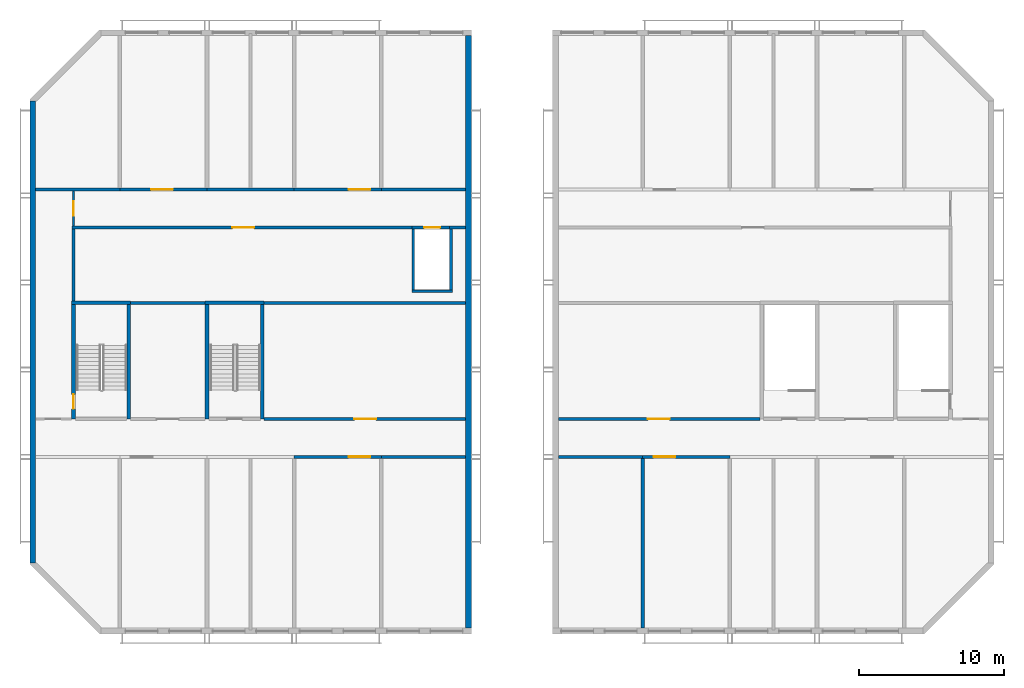
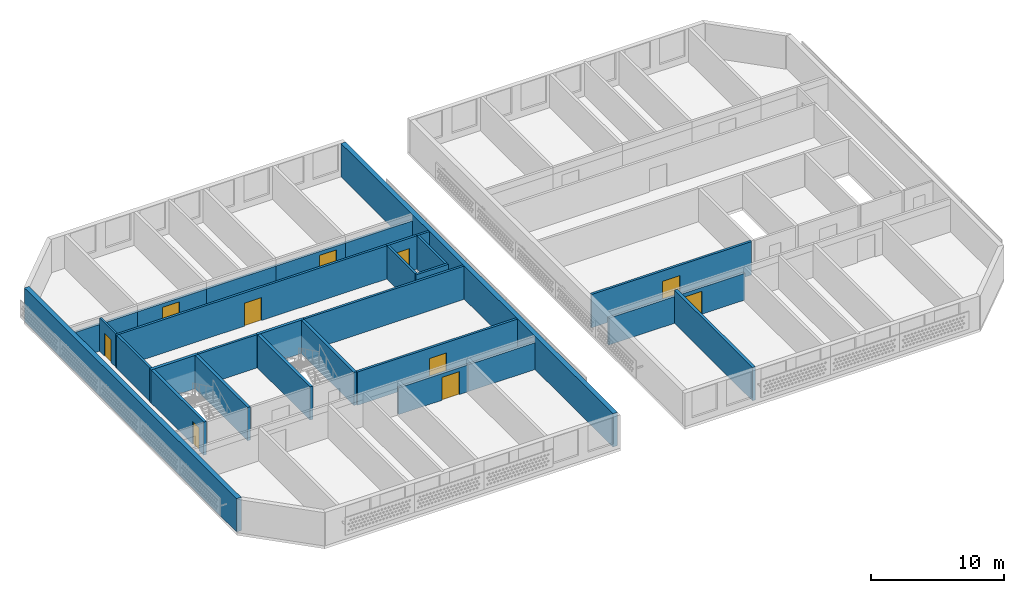
# One storey, part 2 of 16: 30 walls, 10 doors, 10 openings.
"""IFC4 building model written with IfcOpenShell, lengths in metres."""

from ifc_helpers import new_model, si_unit, direction, frame, frame_2d, origin, place, context, subcontext, project, spatial, rectangle, extrude, material, layer, layer_set, type_object, element, fill, save


model = new_model("IFC4")

# Units and contexts
model_context = context("Model", 3, precision=1e-05, world=origin(), true_north=direction((0.0, 1.0)))
body_context = subcontext(model_context, "Body", "Model", "MODEL_VIEW")
ifc_project = project(units=[si_unit("LENGTHUNIT", "METRE"), si_unit("AREAUNIT", "SQUARE_METRE"), si_unit("VOLUMEUNIT", "CUBIC_METRE"), si_unit("PLANEANGLEUNIT", "RADIAN"), si_unit("MASSUNIT", "GRAM", prefix="KILO")], contexts=[model_context])

# Site, building, storey
site_placement = place(None, origin())
site = spatial("IfcSite", under=ifc_project, at=site_placement, CompositionType="ELEMENT")
building_placement = place(site_placement, origin())
building = spatial("IfcBuilding", under=site, at=building_placement, Name="Poui Terraces", CompositionType="ELEMENT")
storey_placement = place(building_placement, frame((0.0, 0.0, 282.300048828125)))
storey = spatial("IfcBuildingStorey", under=building, at=storey_placement, Name="L78 CROWN", CompositionType="ELEMENT", Elevation=282.300048828125)

# Wall, opening, door
ifc_material_1 = material(Name="Fire-rated plasterboard wall")
ifc_layer_1 = layer(ifc_material_1, 0.14990234375)
ifc_layer_set_1 = layer_set([ifc_layer_1], Name="Fire-rated plasterboard wall")
wall_type_1 = type_object("IfcWallType", Name="CORRIDOR WALL 150", PredefinedType="PARTITIONING", material=ifc_layer_set_1)
wall_1_placement = place(storey_placement, frame((20.800048828125, 27.89990234375, 0.0), z_axis=(0.0, 0.0, 1.0), x_axis=(0.0, 1.0, 0.0)))
wall_1 = element("IfcWall", 1, at=wall_1_placement, inside=storey, type_object=wall_type_1, Name="CORRIDOR WALL 150", PredefinedType="PARTITIONING", context=body_context, shape_type="SweptSolid", body=[
    extrude(rectangle(XDim=2.39013671875, YDim=0.14990234375, at=frame_2d((1.195068359375, 0.0))), origin(), (0.0, 0.0, 1.0), 3.050048828125),
])
opening_1_placement = place(wall_1_placement, frame((0.699951171875, 0.0, 0.0)))
opening_1 = element("IfcOpeningElement", 2, at=opening_1_placement, cuts=wall_1, Name="Opening FDL", PredefinedType="OPENING", context=body_context, shape_type="SweptSolid", body=[
    extrude(rectangle(XDim=1.0, YDim=2.10009765625, at=frame_2d((0.5, 1.050048828125))), frame((0.0, 0.0849609375, 0.0), z_axis=(0.0, -1.0, 0.0), x_axis=(1.0, 0.0, 0.0)), (0.0, 0.0, 1.0), 0.169921875),
])
ifc_material_2 = material(Name="Steel fire door", Category="steel")
door_type_1 = type_object("IfcDoorType", Name="LOBBY FIRE DOOR 1000 X 2100", OperationType="NOTDEFINED", PredefinedType="DOOR", material=ifc_material_2)
door_1_placement = place(opening_1_placement, origin())
door_1 = element("IfcDoor", 3, at=door_1_placement, inside=storey, type_object=door_type_1, Name="LOBBY FIRE DOOR 022", OperationType="SINGLE_SWING_LEFT", OverallHeight=2.10009765625, OverallWidth=1.0, PredefinedType="DOOR", context=body_context, shape_type="SweptSolid", body=[
    extrude(rectangle(XDim=1.0, YDim=2.10009765625, at=frame_2d((0.5, 1.050048828125))), frame((0.0, 0.02490234375, 0.0), z_axis=(0.0, -1.0, 0.0), x_axis=(1.0, 0.0, 0.0)), (0.0, 0.0, 1.0), 0.050048828125),
])
fill(opening_1, door_1)

ifc_material_3 = material(Name="Concrete 50 MPa", Category="concrete")
ifc_layer_2 = layer(ifc_material_3, 0.199951171875)
ifc_layer_set_2 = layer_set([ifc_layer_2], Name="Concrete 50 MPa")
wall_type_2 = type_object("IfcWallType", Name="CORRIDOR WALL 200 50MPa", PredefinedType="SHEAR", material=ifc_layer_set_2)
wall_2_placement = place(storey_placement, frame((36.0, 12.0, 0.0), z_axis=(0.0, 0.0, 1.0), x_axis=(1.0, 0.0, 0.0)))
wall_2 = element("IfcWall", 4, at=wall_2_placement, inside=storey, type_object=wall_type_2, Name="CORRIDOR WALL LINE B BAY W4", PredefinedType="SHEAR", context=body_context, shape_type="SweptSolid", body=[
    extrude(rectangle(XDim=6.0, YDim=0.199951171875, at=frame_2d((3.0, 0.0))), origin(), (0.0, 0.0, 1.0), 2.449951171875),
])
opening_2_placement = place(wall_2_placement, frame((3.75, 0.0, 0.0)))
opening_2 = element("IfcOpeningElement", 5, at=opening_2_placement, cuts=wall_2, Name="Opening FDP", PredefinedType="OPENING", context=body_context, shape_type="SweptSolid", body=[
    extrude(rectangle(XDim=1.5, YDim=2.10009765625, at=frame_2d((0.75, 1.050048828125))), frame((0.0, 0.10986328125, 0.0), z_axis=(0.0, -1.0, 0.0), x_axis=(1.0, 0.0, 0.0)), (0.0, 0.0, 1.0), 0.219970703125),
])
door_type_2 = type_object("IfcDoorType", Name="PLANT ROOM DOOR PAIR 1500 X 2100", OperationType="DOUBLE_DOOR_SINGLE_SWING", PredefinedType="DOOR", material=ifc_material_2)
door_2_placement = place(opening_2_placement, origin())
door_2 = element("IfcDoor", 6, at=door_2_placement, inside=storey, type_object=door_type_2, Name="PLANT ROOM DOOR PAIR 018", OperationType="DOUBLE_DOOR_SINGLE_SWING", OverallHeight=2.10009765625, OverallWidth=1.5, PredefinedType="DOOR", context=body_context, shape_type="SweptSolid", body=[
    extrude(rectangle(XDim=1.5, YDim=2.10009765625, at=frame_2d((0.75, 1.050048828125))), frame((0.0, 0.02490234375, 0.0), z_axis=(0.0, -1.0, 0.0), x_axis=(1.0, 0.0, 0.0)), (0.0, 0.0, 1.0), 0.050048828125),
])
fill(opening_2, door_2)

# Walls
for number, where, z_axis, x_axis, name in (
    (7, (42.0, 12.0, 0.0), (0.0, 0.0, 1.0), (1.0, 0.0, 0.0), "CORRIDOR WALL LINE B BAY W5"),
    (8, (18.199951171875, 30.39990234375, 0.0), (0.0, 0.0, 1.0), (1.0, 0.0, 0.0), "CORRIDOR WALL LINE E BAY W1"),
):
    element("IfcWall", number, at=place(storey_placement, frame(where, z_axis=z_axis, x_axis=x_axis)), inside=storey, type_object=wall_type_2, Name=name, PredefinedType="SHEAR", context=body_context, shape_type="SweptSolid", body=[
        extrude(rectangle(XDim=5.800048828125, YDim=0.199951171875, at=frame_2d((2.89990234375, 0.0))), origin(), (0.0, 0.0, 1.0), 2.449951171875),
    ])

# Wall, opening, door
wall_3_placement = place(storey_placement, frame((24.0, 30.39990234375, 0.0), z_axis=(0.0, 0.0, 1.0), x_axis=(1.0, 0.0, 0.0)))
wall_3 = element("IfcWall", 9, at=wall_3_placement, inside=storey, type_object=wall_type_2, Name="CORRIDOR WALL LINE E BAY W2", PredefinedType="SHEAR", context=body_context, shape_type="SweptSolid", body=[
    extrude(rectangle(XDim=6.0, YDim=0.199951171875, at=frame_2d((3.0, 0.0))), origin(), (0.0, 0.0, 1.0), 2.449951171875),
])
opening_3_placement = place(wall_3_placement, frame((2.14990234375, 0.0, 0.0)))
opening_3 = element("IfcOpeningElement", 10, at=opening_3_placement, cuts=wall_3, Name="Opening FDP", PredefinedType="OPENING", context=body_context, shape_type="SweptSolid", body=[
    extrude(rectangle(XDim=1.5, YDim=2.10009765625, at=frame_2d((0.75, 1.050048828125))), frame((0.0, 0.10986328125, 0.0), z_axis=(0.0, -1.0, 0.0), x_axis=(1.0, 0.0, 0.0)), (0.0, 0.0, 1.0), 0.219970703125),
])
door_3_placement = place(opening_3_placement, frame((1.5, 0.0, 0.0), z_axis=(0.0, 0.0, 1.0), x_axis=(-1.0, 0.0, 0.0)))
door_3 = element("IfcDoor", 11, at=door_3_placement, inside=storey, type_object=door_type_2, Name="PLANT ROOM DOOR PAIR 012", OperationType="DOUBLE_DOOR_SINGLE_SWING", OverallHeight=2.10009765625, OverallWidth=1.5, PredefinedType="DOOR", context=body_context, shape_type="SweptSolid", body=[
    extrude(rectangle(XDim=1.5, YDim=2.10009765625, at=frame_2d((0.75, 1.050048828125))), frame((0.0, 0.02490234375, 0.0), z_axis=(0.0, -1.0, 0.0), x_axis=(1.0, 0.0, 0.0)), (0.0, 0.0, 1.0), 0.050048828125),
])
fill(opening_3, door_3)

# Wall
wall_4_placement = place(storey_placement, frame((30.0, 30.39990234375, 0.0), z_axis=(0.0, 0.0, 1.0), x_axis=(1.0, 0.0, 0.0)))
element("IfcWall", 12, at=wall_4_placement, inside=storey, type_object=wall_type_2, Name="CORRIDOR WALL LINE E BAY W3", PredefinedType="SHEAR", context=body_context, shape_type="SweptSolid", body=[
    extrude(rectangle(XDim=6.0, YDim=0.199951171875, at=frame_2d((3.0, 0.0))), origin(), (0.0, 0.0, 1.0), 2.449951171875),
])

# Wall, opening, door
wall_5_placement = place(storey_placement, frame((36.0, 30.39990234375, 0.0), z_axis=(0.0, 0.0, 1.0), x_axis=(1.0, 0.0, 0.0)))
wall_5 = element("IfcWall", 13, at=wall_5_placement, inside=storey, type_object=wall_type_2, Name="CORRIDOR WALL LINE E BAY W4", PredefinedType="SHEAR", context=body_context, shape_type="SweptSolid", body=[
    extrude(rectangle(XDim=6.0, YDim=0.199951171875, at=frame_2d((3.0, 0.0))), origin(), (0.0, 0.0, 1.0), 2.449951171875),
])
opening_4_placement = place(wall_5_placement, frame((3.75, 0.0, 0.0)))
opening_4 = element("IfcOpeningElement", 14, at=opening_4_placement, cuts=wall_5, Name="Opening FDP", PredefinedType="OPENING", context=body_context, shape_type="SweptSolid", body=[
    extrude(rectangle(XDim=1.5, YDim=2.10009765625, at=frame_2d((0.75, 1.050048828125))), frame((0.0, 0.10986328125, 0.0), z_axis=(0.0, -1.0, 0.0), x_axis=(1.0, 0.0, 0.0)), (0.0, 0.0, 1.0), 0.219970703125),
])
door_4_placement = place(opening_4_placement, frame((1.5, 0.0, 0.0), z_axis=(0.0, 0.0, 1.0), x_axis=(-1.0, 0.0, 0.0)))
door_4 = element("IfcDoor", 15, at=door_4_placement, inside=storey, type_object=door_type_2, Name="PLANT ROOM DOOR PAIR 014", OperationType="DOUBLE_DOOR_SINGLE_SWING", OverallHeight=2.10009765625, OverallWidth=1.5, PredefinedType="DOOR", context=body_context, shape_type="SweptSolid", body=[
    extrude(rectangle(XDim=1.5, YDim=2.10009765625, at=frame_2d((0.75, 1.050048828125))), frame((0.0, 0.02490234375, 0.0), z_axis=(0.0, -1.0, 0.0), x_axis=(1.0, 0.0, 0.0)), (0.0, 0.0, 1.0), 0.050048828125),
])
fill(opening_4, door_4)

# Walls
for number, where, z_axis, x_axis, name in (
    (16, (42.0, 30.39990234375, 0.0), (0.0, 0.0, 1.0), (1.0, 0.0, 0.0), "CORRIDOR WALL LINE E BAY W5"),
    (17, (54.199951171875, 12.0, 0.0), (0.0, 0.0, 1.0), (1.0, 0.0, 0.0), "CORRIDOR WALL LINE B BAY E1"),
):
    element("IfcWall", number, at=place(storey_placement, frame(where, z_axis=z_axis, x_axis=x_axis)), inside=storey, type_object=wall_type_2, Name=name, PredefinedType="SHEAR", context=body_context, shape_type="SweptSolid", body=[
        extrude(rectangle(XDim=5.800048828125, YDim=0.199951171875, at=frame_2d((2.89990234375, 0.0))), origin(), (0.0, 0.0, 1.0), 2.449951171875),
    ])

# Wall, opening, door
wall_6_placement = place(storey_placement, frame((60.0, 12.0, 0.0), z_axis=(0.0, 0.0, 1.0), x_axis=(1.0, 0.0, 0.0)))
wall_6 = element("IfcWall", 18, at=wall_6_placement, inside=storey, type_object=wall_type_2, Name="CORRIDOR WALL LINE B BAY E2", PredefinedType="SHEAR", context=body_context, shape_type="SweptSolid", body=[
    extrude(rectangle(XDim=6.0, YDim=0.199951171875, at=frame_2d((3.0, 0.0))), origin(), (0.0, 0.0, 1.0), 2.449951171875),
])
opening_5_placement = place(wall_6_placement, frame((0.75, 0.0, 0.0)))
opening_5 = element("IfcOpeningElement", 19, at=opening_5_placement, cuts=wall_6, Name="Opening FDP", PredefinedType="OPENING", context=body_context, shape_type="SweptSolid", body=[
    extrude(rectangle(XDim=1.5, YDim=2.10009765625, at=frame_2d((0.75, 1.050048828125))), frame((0.0, 0.10986328125, 0.0), z_axis=(0.0, -1.0, 0.0), x_axis=(1.0, 0.0, 0.0)), (0.0, 0.0, 1.0), 0.219970703125),
])
door_5_placement = place(opening_5_placement, origin())
door_5 = element("IfcDoor", 20, at=door_5_placement, inside=storey, type_object=door_type_2, Name="PLANT ROOM DOOR PAIR 005", OperationType="DOUBLE_DOOR_SINGLE_SWING", OverallHeight=2.10009765625, OverallWidth=1.5, PredefinedType="DOOR", context=body_context, shape_type="SweptSolid", body=[
    extrude(rectangle(XDim=1.5, YDim=2.10009765625, at=frame_2d((0.75, 1.050048828125))), frame((0.0, 0.02490234375, 0.0), z_axis=(0.0, -1.0, 0.0), x_axis=(1.0, 0.0, 0.0)), (0.0, 0.0, 1.0), 0.050048828125),
])
fill(opening_5, door_5)

# Walls
ifc_layer_3 = layer(ifc_material_3, 0.25)
ifc_layer_set_3 = layer_set([ifc_layer_3], Name="Concrete 50 MPa")
wall_type_3 = type_object("IfcWallType", Name="CROSS WALL 250 50MPa", PredefinedType="SHEAR", material=ifc_layer_set_3)
wall_7_placement = place(storey_placement, frame((60.0, 0.199951171875, 0.0), z_axis=(0.0, 0.0, 1.0), x_axis=(0.0, 1.0, 0.0)))
element("IfcWall", 21, at=wall_7_placement, inside=storey, type_object=wall_type_3, Name="CROSS WALL LINE 11 SOUTH", PredefinedType="SHEAR", context=body_context, shape_type="SweptSolid", body=[
    extrude(rectangle(XDim=11.699951171875, YDim=0.25, at=frame_2d((5.85009765625, 0.0))), origin(), (0.0, 0.0, 1.0), 3.050048828125),
])
ifc_layer_4 = layer(ifc_material_3, 0.39990234375)
ifc_layer_set_4 = layer_set([ifc_layer_4], Name="Concrete 50 MPa")
wall_type_4 = type_object("IfcWallType", Name="END WALL 400 50MPa", PredefinedType="SHEAR", material=ifc_layer_set_4)
wall_8_placement = place(storey_placement, frame((18.0, 4.682861328125, 0.0), z_axis=(0.0, 0.0, 1.0), x_axis=(0.0, 1.0, 0.0)))
element("IfcWall", 22, at=wall_8_placement, inside=storey, type_object=wall_type_4, Name="END WALL LINE 4", PredefinedType="SHEAR", context=body_context, shape_type="SweptSolid", body=[
    extrude(rectangle(XDim=31.834228515625, YDim=0.39990234375, at=frame_2d((15.9169921875, 0.0))), origin(), (0.0, 0.0, 1.0), 3.050048828125),
])
wall_9_placement = place(storey_placement, frame((48.0, 0.199951171875, 0.0), z_axis=(0.0, 0.0, 1.0), x_axis=(0.0, 1.0, 0.0)))
element("IfcWall", 23, at=wall_9_placement, inside=storey, type_object=wall_type_4, Name="END WALL LINE 9", PredefinedType="SHEAR", context=body_context, shape_type="SweptSolid", body=[
    extrude(rectangle(XDim=40.800048828125, YDim=0.39990234375, at=frame_2d((20.39990234375, 0.0))), origin(), (0.0, 0.0, 1.0), 3.050048828125),
])

# Wall, opening, door
ifc_material_4 = material(Name="Fire-rated masonry wall", Category="masonry")
ifc_layer_5 = layer(ifc_material_4, 0.199951171875)
ifc_layer_set_5 = layer_set([ifc_layer_5], Name="Fire-rated masonry wall")
wall_type_5 = type_object("IfcWallType", Name="PLANT ROOM WALL 200", PredefinedType="PARTITIONING", material=ifc_layer_set_5)
wall_10_placement = place(storey_placement, frame((33.93505859375, 14.60009765625, 0.0), z_axis=(0.0, 0.0, 1.0), x_axis=(1.0, 0.0, 0.0)))
wall_10 = element("IfcWall", 24, at=wall_10_placement, inside=storey, type_object=wall_type_5, Name="PLANT ROOM WALL 200", PredefinedType="PARTITIONING", context=body_context, shape_type="SweptSolid", body=[
    extrude(rectangle(XDim=13.85498046875, YDim=0.199951171875, at=frame_2d((6.927490234375, 0.0))), origin(), (0.0, 0.0, 1.0), 3.050048828125),
])
opening_6_placement = place(wall_10_placement, frame((6.215087890625, 0.0, 0.0)))
opening_6 = element("IfcOpeningElement", 25, at=opening_6_placement, cuts=wall_10, Name="Opening FDP", PredefinedType="OPENING", context=body_context, shape_type="SweptSolid", body=[
    extrude(rectangle(XDim=1.5, YDim=2.10009765625, at=frame_2d((0.75, 1.050048828125))), frame((0.0, 0.10986328125, 0.0), z_axis=(0.0, -1.0, 0.0), x_axis=(1.0, 0.0, 0.0)), (0.0, 0.0, 1.0), 0.219970703125),
])
door_6_placement = place(opening_6_placement, frame((1.5, 0.0, 0.0), z_axis=(0.0, 0.0, 1.0), x_axis=(-1.0, 0.0, 0.0)))
door_6 = element("IfcDoor", 26, at=door_6_placement, inside=storey, type_object=door_type_2, Name="PLANT ROOM DOOR PAIR 019", OperationType="DOUBLE_DOOR_SINGLE_SWING", OverallHeight=2.10009765625, OverallWidth=1.5, PredefinedType="DOOR", context=body_context, shape_type="SweptSolid", body=[
    extrude(rectangle(XDim=1.5, YDim=2.10009765625, at=frame_2d((0.75, 1.050048828125))), frame((0.0, 0.02490234375, 0.0), z_axis=(0.0, -1.0, 0.0), x_axis=(1.0, 0.0, 0.0)), (0.0, 0.0, 1.0), 0.050048828125),
])
fill(opening_6, door_6)

wall_11_placement = place(storey_placement, frame((54.2099609375, 14.60009765625, 0.0), z_axis=(0.0, 0.0, 1.0), x_axis=(1.0, 0.0, 0.0)))
wall_11 = element("IfcWall", 27, at=wall_11_placement, inside=storey, type_object=wall_type_5, Name="PLANT ROOM WALL 200", PredefinedType="PARTITIONING", context=body_context, shape_type="SweptSolid", body=[
    extrude(rectangle(XDim=13.85498046875, YDim=0.199951171875, at=frame_2d((6.927490234375, 0.0))), origin(), (0.0, 0.0, 1.0), 3.050048828125),
])
opening_7_placement = place(wall_11_placement, frame((6.139892578125, 0.0, 0.0)))
opening_7 = element("IfcOpeningElement", 28, at=opening_7_placement, cuts=wall_11, Name="Opening FDP", PredefinedType="OPENING", context=body_context, shape_type="SweptSolid", body=[
    extrude(rectangle(XDim=1.5, YDim=2.10009765625, at=frame_2d((0.75, 1.050048828125))), frame((0.0, 0.10986328125, 0.0), z_axis=(0.0, -1.0, 0.0), x_axis=(1.0, 0.0, 0.0)), (0.0, 0.0, 1.0), 0.219970703125),
])
door_7_placement = place(opening_7_placement, frame((1.5, 0.0, 0.0), z_axis=(0.0, 0.0, 1.0), x_axis=(-1.0, 0.0, 0.0)))
door_7 = element("IfcDoor", 29, at=door_7_placement, inside=storey, type_object=door_type_2, Name="PLANT ROOM DOOR PAIR 004", OperationType="DOUBLE_DOOR_SINGLE_SWING", OverallHeight=2.10009765625, OverallWidth=1.5, PredefinedType="DOOR", context=body_context, shape_type="SweptSolid", body=[
    extrude(rectangle(XDim=1.5, YDim=2.10009765625, at=frame_2d((0.75, 1.050048828125))), frame((0.0, 0.02490234375, 0.0), z_axis=(0.0, -1.0, 0.0), x_axis=(1.0, 0.0, 0.0)), (0.0, 0.0, 1.0), 0.050048828125),
])
fill(opening_7, door_7)

# Walls
wall_12_placement = place(storey_placement, frame((24.735107421875, 22.60009765625, 0.0), z_axis=(0.0, 0.0, 1.0), x_axis=(1.0, 0.0, 0.0)))
element("IfcWall", 30, at=wall_12_placement, inside=storey, type_object=wall_type_5, Name="PLANT ROOM WALL 200", PredefinedType="PARTITIONING", context=body_context, shape_type="SweptSolid", body=[
    extrude(rectangle(XDim=5.1298828125, YDim=0.199951171875, at=frame_2d((2.56494140625, 0.0))), origin(), (0.0, 0.0, 1.0), 3.050048828125),
])
wall_13_placement = place(storey_placement, frame((33.93505859375, 22.60009765625, 0.0), z_axis=(0.0, 0.0, 1.0), x_axis=(1.0, 0.0, 0.0)))
element("IfcWall", 31, at=wall_13_placement, inside=storey, type_object=wall_type_5, Name="PLANT ROOM WALL 200", PredefinedType="PARTITIONING", context=body_context, shape_type="SweptSolid", body=[
    extrude(rectangle(XDim=13.85498046875, YDim=0.199951171875, at=frame_2d((6.927490234375, 0.0))), origin(), (0.0, 0.0, 1.0), 3.050048828125),
])

# Wall, opening, door
wall_14_placement = place(storey_placement, frame((20.699951171875, 27.800048828125, 0.0), z_axis=(0.0, 0.0, 1.0), x_axis=(1.0, 0.0, 0.0)))
wall_14 = element("IfcWall", 32, at=wall_14_placement, inside=storey, type_object=wall_type_5, Name="PLANT ROOM WALL 200", PredefinedType="PARTITIONING", context=body_context, shape_type="SweptSolid", body=[
    extrude(rectangle(XDim=23.60009765625, YDim=0.199951171875, at=frame_2d((11.800048828125, 0.0))), origin(), (0.0, 0.0, 1.0), 3.050048828125),
])
opening_8_placement = place(wall_14_placement, frame((11.050048828125, 0.0, 0.0)))
opening_8 = element("IfcOpeningElement", 33, at=opening_8_placement, cuts=wall_14, Name="Opening FDP", PredefinedType="OPENING", context=body_context, shape_type="SweptSolid", body=[
    extrude(rectangle(XDim=1.5, YDim=2.10009765625, at=frame_2d((0.75, 1.050048828125))), frame((0.0, 0.10986328125, 0.0), z_axis=(0.0, -1.0, 0.0), x_axis=(1.0, 0.0, 0.0)), (0.0, 0.0, 1.0), 0.219970703125),
])
door_8_placement = place(opening_8_placement, origin())
door_8 = element("IfcDoor", 34, at=door_8_placement, inside=storey, type_object=door_type_2, Name="PLANT ROOM DOOR PAIR 013", OperationType="DOUBLE_DOOR_SINGLE_SWING", OverallHeight=2.10009765625, OverallWidth=1.5, PredefinedType="DOOR", context=body_context, shape_type="SweptSolid", body=[
    extrude(rectangle(XDim=1.5, YDim=2.10009765625, at=frame_2d((0.75, 1.050048828125))), frame((0.0, 0.02490234375, 0.0), z_axis=(0.0, -1.0, 0.0), x_axis=(1.0, 0.0, 0.0)), (0.0, 0.0, 1.0), 0.050048828125),
])
fill(opening_8, door_8)

# Walls
wall_15_placement = place(storey_placement, frame((46.699951171875, 27.800048828125, 0.0), z_axis=(0.0, 0.0, 1.0), x_axis=(1.0, 0.0, 0.0)))
element("IfcWall", 35, at=wall_15_placement, inside=storey, type_object=wall_type_5, Name="PLANT ROOM WALL 200", PredefinedType="PARTITIONING", context=body_context, shape_type="SweptSolid", body=[
    extrude(rectangle(XDim=1.090087890625, YDim=0.199951171875, at=frame_2d((0.544921875, 0.0))), origin(), (0.0, 0.0, 1.0), 3.050048828125),
])
wall_16_placement = place(storey_placement, frame((20.800048828125, 22.735107421875, 0.0), z_axis=(0.0, 0.0, 1.0), x_axis=(0.0, 1.0, 0.0)))
element("IfcWall", 36, at=wall_16_placement, inside=storey, type_object=wall_type_5, Name="PLANT ROOM WALL 200", PredefinedType="PARTITIONING", context=body_context, shape_type="SweptSolid", body=[
    extrude(rectangle(XDim=4.96484375, YDim=0.199951171875, at=frame_2d((2.482421875, 0.0))), origin(), (0.0, 0.0, 1.0), 3.050048828125),
])
ifc_material_5 = material(Name="Fire-rated masonry shaft wall", Category="masonry")
ifc_layer_6 = layer(ifc_material_5, 0.199951171875)
ifc_layer_set_6 = layer_set([ifc_layer_6], Name="Fire-rated masonry shaft wall")
wall_type_6 = type_object("IfcWallType", Name="SHAFT WALL 200", PredefinedType="PARTITIONING", material=ifc_layer_set_6)
wall_17_placement = place(storey_placement, frame((44.10009765625, 23.39990234375, 0.0), z_axis=(0.0, 0.0, 1.0), x_axis=(1.0, 0.0, 0.0)))
element("IfcWall", 37, at=wall_17_placement, inside=storey, type_object=wall_type_6, Name="SHAFT WALL 200", PredefinedType="PARTITIONING", context=body_context, shape_type="SweptSolid", body=[
    extrude(rectangle(XDim=2.7998046875, YDim=0.199951171875, at=frame_2d((1.39990234375, 0.0))), origin(), (0.0, 0.0, 1.0), 3.050048828125),
])

# Wall, opening, door
wall_18_placement = place(storey_placement, frame((44.10009765625, 27.800048828125, 0.0), z_axis=(0.0, 0.0, 1.0), x_axis=(1.0, 0.0, 0.0)))
wall_18 = element("IfcWall", 38, at=wall_18_placement, inside=storey, type_object=wall_type_6, Name="SHAFT WALL 200", PredefinedType="PARTITIONING", context=body_context, shape_type="SweptSolid", body=[
    extrude(rectangle(XDim=2.7998046875, YDim=0.199951171875, at=frame_2d((1.39990234375, 0.0))), origin(), (0.0, 0.0, 1.0), 3.050048828125),
])
opening_9_placement = place(wall_18_placement, frame((0.85009765625, 0.0, 0.0)))
opening_9 = element("IfcOpeningElement", 39, at=opening_9_placement, cuts=wall_18, Name="Opening LD", PredefinedType="OPENING", context=body_context, shape_type="SweptSolid", body=[
    extrude(rectangle(XDim=1.10009765625, YDim=2.10009765625, at=frame_2d((0.550048828125, 1.050048828125))), frame((0.0, 0.10986328125, 0.0), z_axis=(0.0, -1.0, 0.0), x_axis=(1.0, 0.0, 0.0)), (0.0, 0.0, 1.0), 0.219970703125),
])
ifc_material_6 = material(Name="Stainless steel sliding door", Category="steel")
door_type_3 = type_object("IfcDoorType", Name="LIFT LANDING DOOR 1100 X 2100", OperationType="DOUBLE_DOOR_SLIDING", PredefinedType="DOOR", material=ifc_material_6)
door_9_placement = place(opening_9_placement, origin())
door_9 = element("IfcDoor", 40, at=door_9_placement, inside=storey, type_object=door_type_3, Name="LANDING DOOR", OperationType="DOUBLE_DOOR_SLIDING", OverallHeight=2.10009765625, OverallWidth=1.10009765625, PredefinedType="DOOR", context=body_context, shape_type="SweptSolid", body=[
    extrude(rectangle(XDim=1.10009765625, YDim=2.10009765625, at=frame_2d((0.550048828125, 1.050048828125))), frame((0.0, 0.02490234375, 0.0), z_axis=(0.0, -1.0, 0.0), x_axis=(1.0, 0.0, 0.0)), (0.0, 0.0, 1.0), 0.050048828125),
])
fill(opening_9, door_9)

# Walls
for number, where, z_axis, x_axis, name in (
    (41, (44.199951171875, 23.5, 0.0), (0.0, 0.0, 1.0), (0.0, 1.0, 0.0), "SHAFT WALL 200"),
    (42, (46.800048828125, 23.5, 0.0), (0.0, 0.0, 1.0), (0.0, 1.0, 0.0), "SHAFT WALL 200"),
):
    element("IfcWall", number, at=place(storey_placement, frame(where, z_axis=z_axis, x_axis=x_axis)), inside=storey, type_object=wall_type_6, Name=name, PredefinedType="PARTITIONING", context=body_context, shape_type="SweptSolid", body=[
        extrude(rectangle(XDim=4.199951171875, YDim=0.199951171875, at=frame_2d((2.10009765625, 0.0))), origin(), (0.0, 0.0, 1.0), 3.050048828125),
    ])

# Wall, opening, door
ifc_layer_7 = layer(ifc_material_3, 0.25)
ifc_layer_set_7 = layer_set([ifc_layer_7], Name="Concrete 50 MPa")
wall_type_7 = type_object("IfcWallType", Name="STAIR CORE WALL 250 50 MPA", PredefinedType="SOLIDWALL", material=ifc_layer_set_7)
wall_19_placement = place(storey_placement, frame((20.800048828125, 14.60009765625, 0.0), z_axis=(0.0, 0.0, 1.0), x_axis=(0.0, 1.0, 0.0)))
wall_19 = element("IfcWall", 43, at=wall_19_placement, inside=storey, type_object=wall_type_7, Name="STAIR CORE WALL", PredefinedType="SOLIDWALL", context=body_context, shape_type="SweptSolid", body=[
    extrude(rectangle(XDim=7.875, YDim=0.25, at=frame_2d((3.9375, 0.0))), origin(), (0.0, 0.0, 1.0), 3.050048828125),
])
opening_10_placement = place(wall_19_placement, frame((0.699951171875, 0.0, 0.0)))
opening_10 = element("IfcOpeningElement", 44, at=opening_10_placement, cuts=wall_19, Name="Opening FD60S", PredefinedType="OPENING", context=body_context, shape_type="SweptSolid", body=[
    extrude(rectangle(XDim=1.0, YDim=2.10009765625, at=frame_2d((0.5, 1.050048828125))), frame((0.0, 0.135009765625, 0.0), z_axis=(0.0, -1.0, 0.0), x_axis=(1.0, 0.0, 0.0)), (0.0, 0.0, 1.0), 0.27001953125),
])
door_type_4 = type_object("IfcDoorType", Name="STAIR DOOR 1000 X 2100", OperationType="NOTDEFINED", PredefinedType="DOOR", material=ifc_material_2)
door_10_placement = place(opening_10_placement, frame((1.0, 0.0, 0.0), z_axis=(0.0, 0.0, 1.0), x_axis=(-1.0, 0.0, 0.0)))
door_10 = element("IfcDoor", 45, at=door_10_placement, inside=storey, type_object=door_type_4, Name="STAIR DOOR 021", OperationType="SINGLE_SWING_RIGHT", OverallHeight=2.10009765625, OverallWidth=1.0, PredefinedType="DOOR", context=body_context, shape_type="SweptSolid", body=[
    extrude(rectangle(XDim=1.0, YDim=2.10009765625, at=frame_2d((0.5, 1.050048828125))), frame((0.0, 0.02490234375, 0.0), z_axis=(0.0, -1.0, 0.0), x_axis=(1.0, 0.0, 0.0)), (0.0, 0.0, 1.0), 0.050048828125),
])
fill(opening_10, door_10)

# Walls
wall_20_placement = place(storey_placement, frame((24.60009765625, 14.60009765625, 0.0), z_axis=(0.0, 0.0, 1.0), x_axis=(0.0, 1.0, 0.0)))
element("IfcWall", 46, at=wall_20_placement, inside=storey, type_object=wall_type_7, Name="STAIR CORE WALL", PredefinedType="SOLIDWALL", context=body_context, shape_type="SweptSolid", body=[
    extrude(rectangle(XDim=7.875, YDim=0.25, at=frame_2d((3.9375, 0.0))), origin(), (0.0, 0.0, 1.0), 3.050048828125),
])
wall_21_placement = place(storey_placement, frame((20.675048828125, 22.60009765625, 0.0), z_axis=(0.0, 0.0, 1.0), x_axis=(1.0, 0.0, 0.0)))
element("IfcWall", 47, at=wall_21_placement, inside=storey, type_object=wall_type_7, Name="STAIR CORE WALL", PredefinedType="SOLIDWALL", context=body_context, shape_type="SweptSolid", body=[
    extrude(rectangle(XDim=4.050048828125, YDim=0.25, at=frame_2d((2.02490234375, 0.0))), origin(), (0.0, 0.0, 1.0), 3.050048828125),
])
for number, where, z_axis, x_axis, name in (
    (48, (30.0, 14.60009765625, 0.0), (0.0, 0.0, 1.0), (0.0, 1.0, 0.0), "STAIR CORE WALL"),
    (49, (33.800048828125, 14.60009765625, 0.0), (0.0, 0.0, 1.0), (0.0, 1.0, 0.0), "STAIR CORE WALL"),
):
    element("IfcWall", number, at=place(storey_placement, frame(where, z_axis=z_axis, x_axis=x_axis)), inside=storey, type_object=wall_type_7, Name=name, PredefinedType="SOLIDWALL", context=body_context, shape_type="SweptSolid", body=[
        extrude(rectangle(XDim=7.875, YDim=0.25, at=frame_2d((3.9375, 0.0))), origin(), (0.0, 0.0, 1.0), 3.050048828125),
    ])
wall_22_placement = place(storey_placement, frame((29.875, 22.60009765625, 0.0), z_axis=(0.0, 0.0, 1.0), x_axis=(1.0, 0.0, 0.0)))
element("IfcWall", 50, at=wall_22_placement, inside=storey, type_object=wall_type_7, Name="STAIR CORE WALL", PredefinedType="SOLIDWALL", context=body_context, shape_type="SweptSolid", body=[
    extrude(rectangle(XDim=4.050048828125, YDim=0.25, at=frame_2d((2.02490234375, 0.0))), origin(), (0.0, 0.0, 1.0), 3.050048828125),
])

save(model, "model.ifc")
